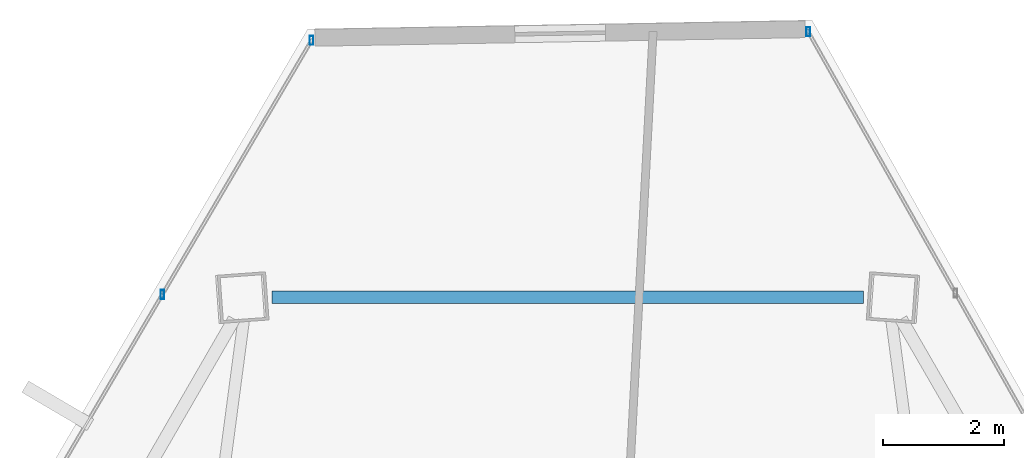
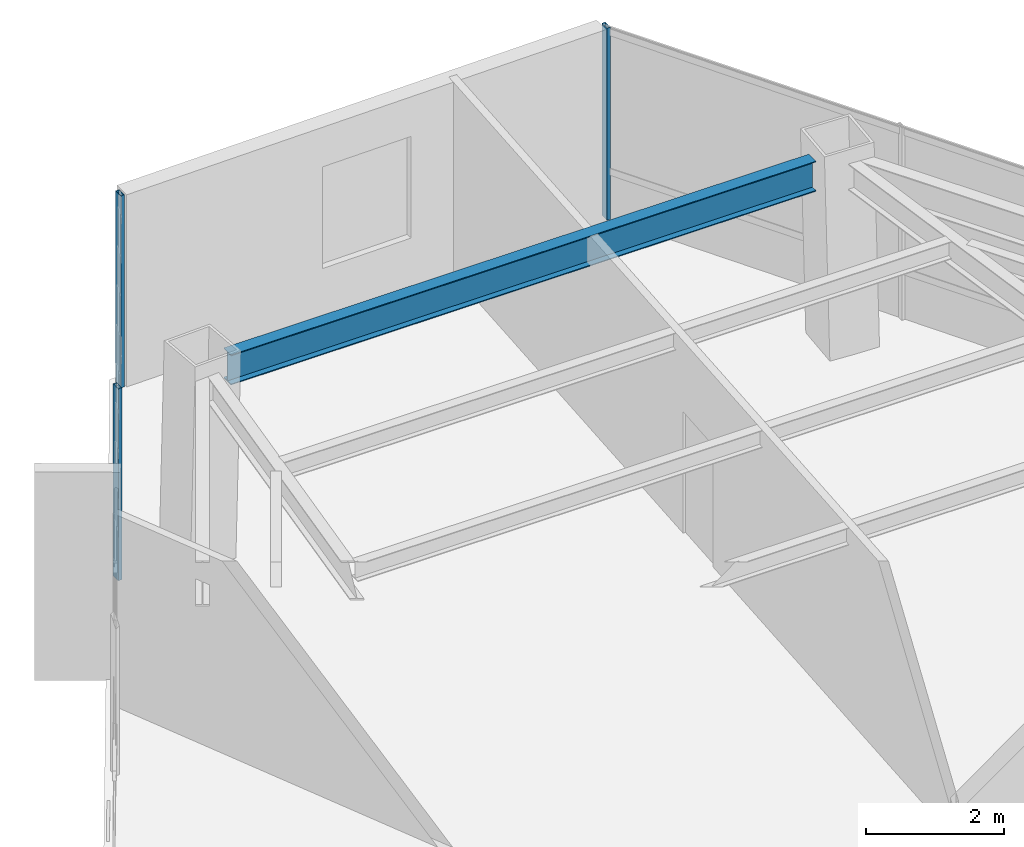
# One storey, part 29 of 42: 3 members, 1 beam, 2 elements without a shape of their own.
"""IFC4 building model written with IfcOpenShell, lengths in metres."""

from ifc_helpers import new_model, si_unit, direction, frame, origin, origin_2d, place, context, subcontext, project, spatial, hollow_rectangle, i_section, extrude, source, transform, mapped, material, material_profile, profile_set, type_object, type_shapes, element, aggregate, save


model = new_model("IFC4")

# Units and contexts
model_context = context("Model", 3, precision=1e-05, world=origin(), true_north=direction((0.0, 1.0)))
body_context = subcontext(model_context, "Body", "Model", "MODEL_VIEW")
ifc_project = project(units=[si_unit("LENGTHUNIT", "METRE"), si_unit("AREAUNIT", "SQUARE_METRE"), si_unit("VOLUMEUNIT", "CUBIC_METRE"), si_unit("PLANEANGLEUNIT", "RADIAN"), si_unit("MASSUNIT", "GRAM", prefix="KILO")], contexts=[model_context])

# Site, building, storey
site_placement = place(None, origin())
site = spatial("IfcSite", under=ifc_project, at=site_placement, CompositionType="ELEMENT")
building_placement = place(site_placement, origin())
building = spatial("IfcBuilding", under=site, at=building_placement, Name="Caelisora Broadcast Tower", CompositionType="ELEMENT")
storey_placement = place(building_placement, frame((0.0, 0.0, 191.35009765625)))
storey = spatial("IfcBuildingStorey", under=building, at=storey_placement, Name="L50", CompositionType="ELEMENT", Elevation=191.35009765625)

# Beam
ifc_material_1 = material(Name="Steel Grade 350 (AS/NZS 3679.1)", Category="steel")
ifc_material_profile_1 = material_profile(ifc_material_1, i_section(OverallWidth=0.208984375, OverallDepth=0.532958984375, WebThickness=0.01025390625, FlangeThickness=0.015625, at=origin_2d()), Name="Steel Grade 350 (AS/NZS 3679.1)")
ifc_profile_set_1 = profile_set([ifc_material_profile_1], Name="Steel Grade 350 (AS/NZS 3679.1)")
beam_type = type_object("IfcBeamType", Name="PG05", PredefinedType="BEAM", material=ifc_profile_set_1)
shared_shape_1 = source(origin(), body_context, "Body", "SweptSolid", [
    extrude(i_section(OverallWidth=0.208984375, OverallDepth=0.532958984375, WebThickness=0.01025390625, FlangeThickness=0.015625, at=origin_2d()), origin(), (0.0, 0.0, 1.0), 9.79345703125),
])
type_shapes(beam_type, [shared_shape_1])
beam_placement = place(storey_placement, frame((42.896728515625, 46.566650390625, 3.13330078125), z_axis=(-1.0, 0.0, 0.0), x_axis=(0.0, -1.0, 0.0)))
element("IfcBeam", 1, at=beam_placement, inside=storey, type_object=beam_type, Name="L50 beam PG05", PredefinedType="BEAM", context=body_context, shape_type="MappedRepresentation", body=[
    mapped(shared_shape_1, transform((0.0, 0.0, 0.0), scale=1.0)),
])

# Curtain wall, member
ifc_material_2 = material(Name="Unitised Aluminium and Low-E Glass Curtain Wall", Category="glass")
curtain_wall_type = type_object("IfcCurtainWallType", Name="CW-Z4", PredefinedType="NOTDEFINED", material=ifc_material_2)
curtain_wall_1_placement = place(storey_placement, origin())
curtain_wall_1 = element("IfcCurtainWall", 2, at=curtain_wall_1_placement, inside=storey, type_object=curtain_wall_type, Name="L50 curtain wall CW-Z4", PredefinedType="NOTDEFINED")
ifc_material_3 = material(Name="Aluminium 6063-T6 Anodised Terracotta Bronze", Category="aluminium")
ifc_material_profile_2 = material_profile(ifc_material_3, hollow_rectangle(XDim=0.06005859375, YDim=0.14990234375, WallThickness=0.00341796875, at=origin_2d()), Name="Aluminium 6063-T6 Anodised Terracotta Bronze")
ifc_profile_set_2 = profile_set([ifc_material_profile_2], Name="Aluminium 6063-T6 Anodised Terracotta Bronze")
member_type = type_object("IfcMemberType", Name="CWM-03", PredefinedType="MULLION", material=ifc_profile_set_2)
shared_shape_2 = source(origin(), body_context, "Body", "SweptSolid", [
    extrude(hollow_rectangle(XDim=0.06005859375, YDim=0.14990234375, WallThickness=0.00341796875, at=origin_2d()), origin(), (0.0, 0.0, 1.0), 3.39990234375),
])
type_shapes(member_type, [shared_shape_2])
member_1_placement = place(storey_placement, frame((41.982666015625, 50.96240234375, 0.0), z_axis=(0.0, 0.0, 1.0), x_axis=(1.0, 0.0, 0.0)))
member_1 = element("IfcMember", 3, at=member_1_placement, type_object=member_type, Name="L50-CW-B01 mullion #0", PredefinedType="MULLION", context=body_context, shape_type="MappedRepresentation", body=[
    mapped(shared_shape_2, transform((0.0, 0.0, 0.0), scale=1.0)),
])
aggregate(curtain_wall_1, [member_1])

# Curtain wall, members
curtain_wall_2_placement = place(storey_placement, origin())
curtain_wall_2 = element("IfcCurtainWall", 4, at=curtain_wall_2_placement, inside=storey, type_object=curtain_wall_type, Name="L50 curtain wall CW-Z4", PredefinedType="NOTDEFINED")
member_2_placement = place(storey_placement, frame((31.29150390625, 46.6142578125, 0.0), z_axis=(0.0, 0.0, 1.0), x_axis=(1.0, 0.0, 0.0)))
member_2 = element("IfcMember", 5, at=member_2_placement, type_object=member_type, Name="L50-CW-B11 mullion #2", PredefinedType="MULLION", context=body_context, shape_type="MappedRepresentation", body=[
    mapped(shared_shape_2, transform((0.0, 0.0, 0.0), scale=1.0)),
])
member_3_placement = place(storey_placement, frame((33.7607421875, 50.81982421875, 0.0), z_axis=(0.0, 0.0, 1.0), x_axis=(1.0, 0.0, 0.0)))
member_3 = element("IfcMember", 6, at=member_3_placement, type_object=member_type, Name="L50-CW-B11 mullion #3", PredefinedType="MULLION", context=body_context, shape_type="MappedRepresentation", body=[
    mapped(shared_shape_2, transform((0.0, 0.0, 0.0), scale=1.0)),
])
aggregate(curtain_wall_2, [member_2, member_3])

save(model, "model.ifc")
